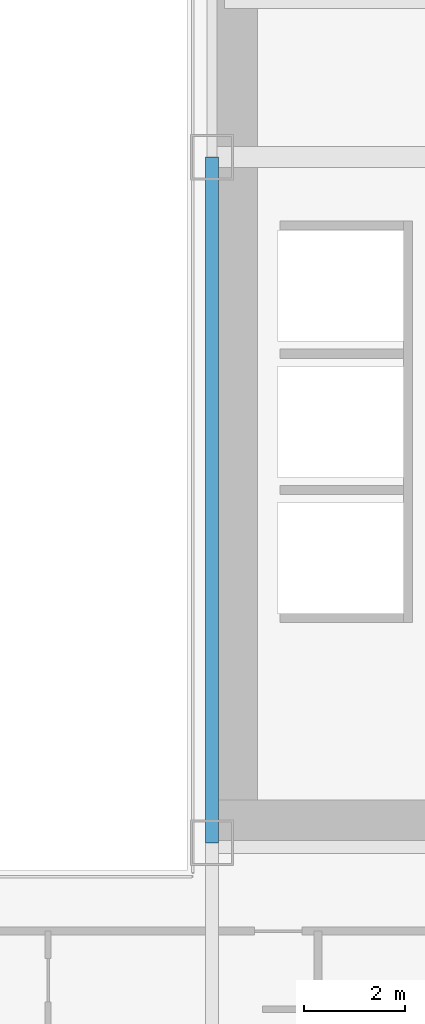
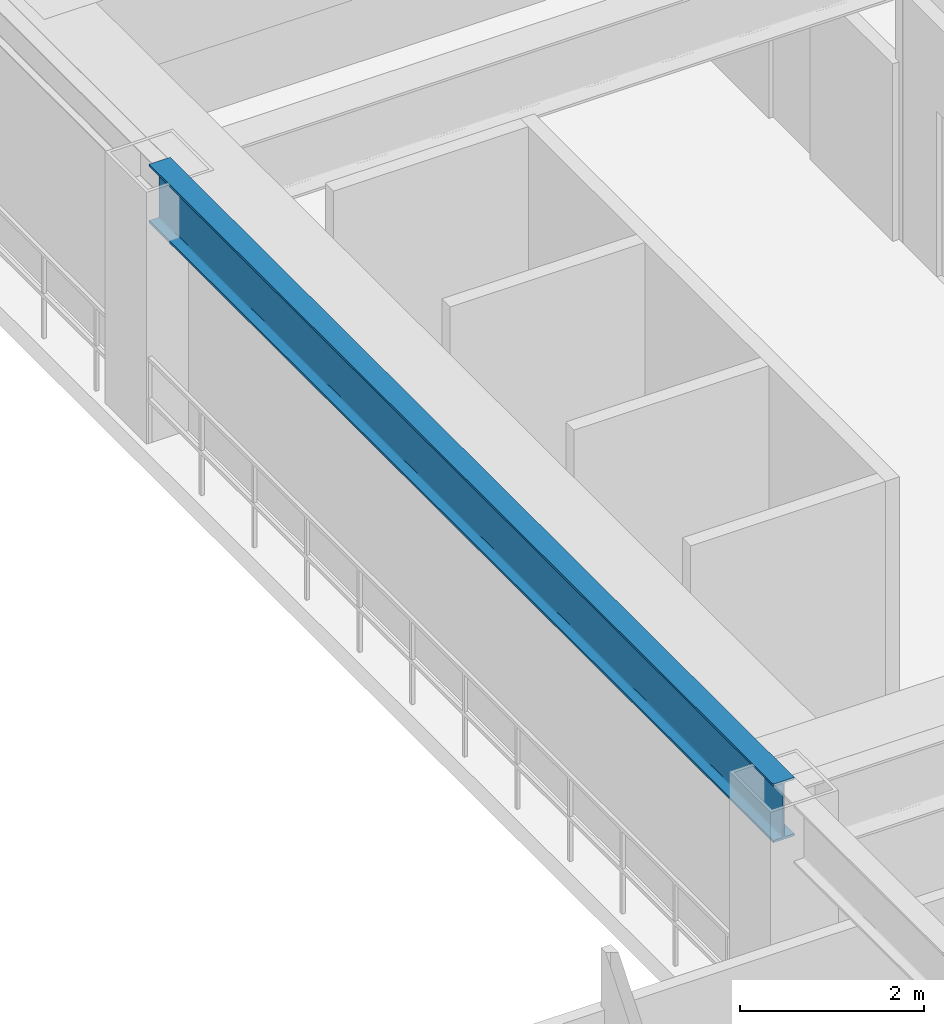
# One storey, part 12 of 35: 1 beam.
"""IFC4 building model written with IfcOpenShell, lengths in metres."""

from ifc_helpers import new_model, si_unit, direction, frame, origin, origin_2d, place, context, subcontext, project, spatial, i_section, extrude, source, transform, mapped, material, material_profile, profile_set, type_object, element, save


model = new_model("IFC4")

# Units and contexts
model_context = context("Model", 3, precision=1e-05, world=origin(), true_north=direction((0.0, 1.0)))
body_context = subcontext(model_context, "Body", "Model", "MODEL_VIEW")
ifc_project = project(units=[si_unit("LENGTHUNIT", "METRE"), si_unit("AREAUNIT", "SQUARE_METRE"), si_unit("VOLUMEUNIT", "CUBIC_METRE"), si_unit("PLANEANGLEUNIT", "RADIAN"), si_unit("MASSUNIT", "GRAM", prefix="KILO")], contexts=[model_context])

# Site, building, storey
site_placement = place(None, origin())
site = spatial("IfcSite", under=ifc_project, at=site_placement, CompositionType="ELEMENT")
building_placement = place(site_placement, origin())
building = spatial("IfcBuilding", under=site, at=building_placement, Name="Ocotamira Hotel", CompositionType="ELEMENT")
storey_placement = place(building_placement, frame((0.0, 0.0, 78.0)))
storey = spatial("IfcBuildingStorey", under=building, at=storey_placement, Name="L19", CompositionType="ELEMENT", Elevation=78.0)

# Beam
ifc_material = material(Name="Steel ASTM A992 Grade 50", Category="steel")
ifc_material_profile = material_profile(ifc_material, i_section(OverallWidth=0.26611328125, OverallDepth=0.779052734375, WebThickness=0.0166015625, FlangeThickness=0.030029296875, FilletRadius=0.01806640625, at=origin_2d()), Name="W30X148")
ifc_profile_set = profile_set([ifc_material_profile], Name="Steel ASTM A992 Grade 50")
beam_type = type_object("IfcBeamType", Name="BM-GIRD-W30X148", PredefinedType="BEAM", material=ifc_profile_set)
shared_shape = source(origin(), body_context, "Body", "SweptSolid", [
    extrude(i_section(OverallWidth=0.26611328125, OverallDepth=0.779052734375, WebThickness=0.0166015625, FlangeThickness=0.030029296875, FilletRadius=0.01806640625, at=origin_2d()), origin(), (0.0, 0.0, 1.0), 13.599853515625),
])
beam_placement = place(storey_placement, frame((40.5, 14.550048828125, 2.96044921875), z_axis=(0.0, 1.0, 0.0), x_axis=(-1.0, 0.0, 0.0)))
element("IfcBeam", 1, at=beam_placement, inside=storey, type_object=beam_type, Name="L19 Beam X40.5 Y14.55-28.15", PredefinedType="BEAM", context=body_context, shape_type="MappedRepresentation", body=[
    mapped(shared_shape, transform((0.0, 0.0, 0.0), scale=1.0)),
])

save(model, "model.ifc")
